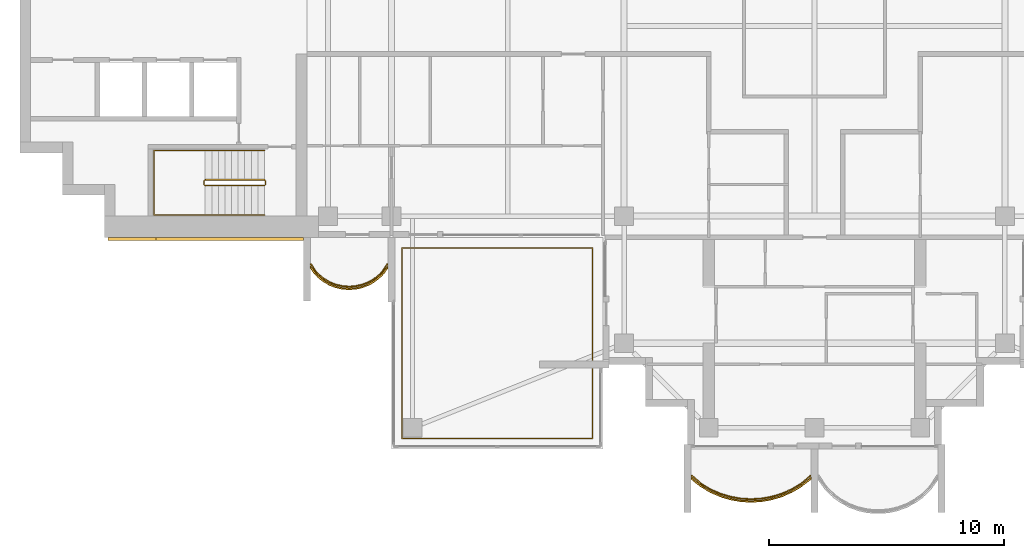
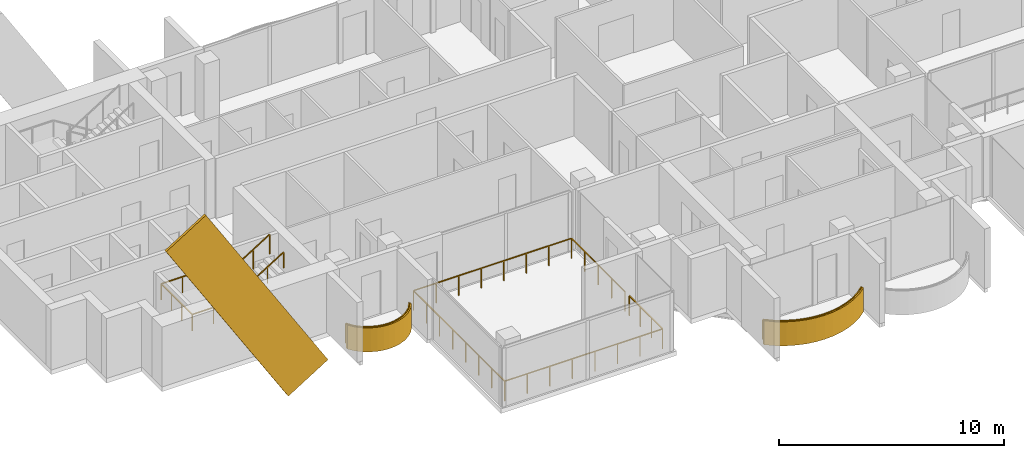
# One storey, part 13 of 16: 5 railings, 3 coverings.
"""IFC4 building model written with IfcOpenShell, lengths in metres."""

from ifc_helpers import new_model, si_unit, direction, frame, origin, origin_2d, place, context, subcontext, project, spatial, polyline, rectangle, outline, extrude, material, layer, layer_set, material_profile, profile_set, type_object, element, save


model = new_model("IFC4")

# Units and contexts
model_context = context("Model", 3, precision=1e-05, world=origin(), true_north=direction((0.0, 1.0)))
body_context = subcontext(model_context, "Body", "Model", "MODEL_VIEW")
ifc_project = project(units=[si_unit("LENGTHUNIT", "METRE"), si_unit("AREAUNIT", "SQUARE_METRE"), si_unit("VOLUMEUNIT", "CUBIC_METRE"), si_unit("PLANEANGLEUNIT", "RADIAN"), si_unit("MASSUNIT", "GRAM", prefix="KILO")], contexts=[model_context])

# Site, building, storey
site_placement = place(None, origin())
site = spatial("IfcSite", under=ifc_project, at=site_placement, CompositionType="ELEMENT")
building_placement = place(site_placement, origin())
building = spatial("IfcBuilding", under=site, at=building_placement, Name="Perihelion Cross Residences", CompositionType="ELEMENT")
storey_placement = place(building_placement, frame((0.0, 0.0, 250.0)))
storey = spatial("IfcBuildingStorey", under=building, at=storey_placement, Name="L63", CompositionType="ELEMENT", Elevation=250.0)

# Coverings
ifc_material_1 = material(Name="Bronze anodised aluminium", Category="aluminium")
ifc_layer = layer(ifc_material_1, 0.070068359375)
ifc_layer_set = layer_set([ifc_layer], Name="Balcony fascia 1300")
covering_type_1 = type_object("IfcCoveringType", Name="Balcony fascia 1300", PredefinedType="CLADDING", material=ifc_layer_set)
covering_1_placement = place(storey_placement, frame((0.0, 0.0, -0.199951171875)))
element("IfcCovering", 1, at=covering_1_placement, inside=storey, type_object=covering_type_1, Name="Fascia BF1 L63 west side south bay 1", PredefinedType="CLADDING", context=body_context, shape_type="SweptSolid", body=[
    extrude(outline(polyline([(-21.226318359375, -10.616455078125), (-20.94091796875, -10.86328125), (-20.655517578125, -11.031494140625), (-20.370361328125, -11.142578125), (-20.085205078125, -11.206298828125), (-19.800048828125, -11.22705078125), (-19.514892578125, -11.206298828125), (-19.229736328125, -11.142578125), (-18.9443359375, -11.031494140625), (-18.6591796875, -10.86328125), (-18.373779296875, -10.616455078125), (-18.14990234375, -10.31689453125), (-18.14990234375, -10.199951171875), (-18.425048828125, -10.568603515625), (-18.699951171875, -10.806396484375), (-18.97509765625, -10.96875), (-19.25, -11.07568359375), (-19.52490234375, -11.136962890625), (-19.800048828125, -11.156982421875), (-20.074951171875, -11.136962890625), (-20.35009765625, -11.07568359375), (-20.625, -10.96875), (-20.89990234375, -10.806396484375), (-21.175048828125, -10.568603515625), (-21.449951171875, -10.199951171875), (-21.449951171875, -10.31689453125), (-21.226318359375, -10.616455078125)])), origin(), (0.0, 0.0, 1.0), 1.300048828125),
])
covering_2_placement = place(storey_placement, frame((0.0, 0.0, -0.199951171875)))
element("IfcCovering", 2, at=covering_2_placement, inside=storey, type_object=covering_type_1, Name="Fascia BF1 L63 south tip south bay 1", PredefinedType="CLADDING", context=body_context, shape_type="SweptSolid", body=[
    extrude(outline(polyline([(-4.86474609375, -19.59765625), (-4.431884765625, -19.85498046875), (-3.998779296875, -20.04248046875), (-3.56591796875, -20.170654296875), (-3.133056640625, -20.245361328125), (-2.699951171875, -20.27001953125), (-2.26708984375, -20.245361328125), (-1.833984375, -20.170654296875), (-1.401123046875, -20.04248046875), (-0.96826171875, -19.85498046875), (-0.53515625, -19.59765625), (-0.14990234375, -19.28955078125), (-0.14990234375, -19.199951171875), (-0.574951171875, -19.5400390625), (-1.0, -19.792724609375), (-1.425048828125, -19.9765625), (-1.85009765625, -20.1025390625), (-2.27490234375, -20.17578125), (-2.699951171875, -20.199951171875), (-3.125, -20.17578125), (-3.550048828125, -20.1025390625), (-3.97509765625, -19.9765625), (-4.39990234375, -19.792724609375), (-4.824951171875, -19.5400390625), (-5.25, -19.199951171875), (-5.25, -19.28955078125), (-4.86474609375, -19.59765625)])), origin(), (0.0, 0.0, 1.0), 1.300048828125),
])

# Railings
ifc_material_2 = material(Name="Bronze anodised aluminium", Category="aluminium")
railing_type_1 = type_object("IfcRailingType", Name="Balcony guard 1100", PredefinedType="GUARDRAIL", material=ifc_material_2)
railing_1_placement = place(storey_placement, frame((-21.425048828125, -10.139892578125, 0.0)))
element("IfcRailing", 3, at=railing_1_placement, inside=storey, type_object=railing_type_1, Name="Guard GU1 L63 west side south bay 1 balcony", PredefinedType="GUARDRAIL", context=body_context, shape_type="SweptSolid", body=[
    extrude(rectangle(XDim=0.048095703125, YDim=0.048095703125, at=origin_2d()), frame((0.0, 0.0, 1.076171875), z_axis=(0.561260132269, -0.827639452857, 0.0), x_axis=(0.827639452857, 0.561260132269, 0.0)), (0.0, 0.0, 1.0), 0.4453125),
    extrude(rectangle(XDim=0.048095703125, YDim=0.048095703125, at=origin_2d()), frame((0.25, -0.36865234375, 1.076171875), z_axis=(0.756596535164, -0.653882009982, 0.0), x_axis=(0.653882009982, 0.756596535164, 0.0)), (0.0, 0.0, 1.0), 0.36376953125),
    extrude(rectangle(XDim=0.048095703125, YDim=0.048095703125, at=origin_2d()), frame((0.525146484375, -0.6064453125, 1.076171875), z_axis=(0.861048292884, -0.508523192511, 0.0), x_axis=(0.508523192511, 0.861048292884, 0.0)), (0.0, 0.0, 1.0), 0.3193359375),
    extrude(rectangle(XDim=0.048095703125, YDim=0.048095703125, at=origin_2d()), frame((0.800048828125, -0.768798828125, 1.076171875), z_axis=(0.931973602183, -0.362526143656, 0.0), x_axis=(0.362526143656, 0.931973602183, 0.0)), (0.0, 0.0, 1.0), 0.294921875),
    extrude(rectangle(XDim=0.048095703125, YDim=0.048095703125, at=origin_2d()), frame((1.074951171875, -0.875732421875, 1.076171875), z_axis=(0.976085059389, -0.21738895289, 0.0), x_axis=(0.21738895289, 0.976085059389, 0.0)), (0.0, 0.0, 1.0), 0.281982421875),
    extrude(rectangle(XDim=0.048095703125, YDim=0.048095703125, at=origin_2d()), frame((1.35009765625, -0.93701171875, 1.076171875), z_axis=(0.997358821833, -0.072631814734, 0.0), x_axis=(0.072631814734, 0.997358821833, 0.0)), (0.0, 0.0, 1.0), 0.275634765625),
    extrude(rectangle(XDim=0.048095703125, YDim=0.048095703125, at=origin_2d()), frame((1.625, -0.95703125, 1.076171875), z_axis=(0.997363488337, 0.072567707226, 0.0), x_axis=(-0.072567707226, 0.997363488337, 0.0)), (0.0, 0.0, 1.0), 0.27587890625),
    extrude(rectangle(XDim=0.048095703125, YDim=0.048095703125, at=origin_2d()), frame((1.900146484375, -0.93701171875, 1.076171875), z_axis=(0.976044077717, 0.217572880557, 0.0), x_axis=(-0.217572880557, 0.976044077717, 0.0)), (0.0, 0.0, 1.0), 0.28173828125),
    extrude(rectangle(XDim=0.048095703125, YDim=0.048095703125, at=origin_2d()), frame((2.175048828125, -0.875732421875, 1.076171875), z_axis=(0.931973602183, 0.362526143656, 0.0), x_axis=(-0.362526143656, 0.931973602183, 0.0)), (0.0, 0.0, 1.0), 0.294921875),
    extrude(rectangle(XDim=0.048095703125, YDim=0.048095703125, at=origin_2d()), frame((2.449951171875, -0.768798828125, 1.076171875), z_axis=(0.861245845072, 0.508188542123, 0.0), x_axis=(-0.508188542123, 0.861245845072, 0.0)), (0.0, 0.0, 1.0), 0.319580078125),
    extrude(rectangle(XDim=0.048095703125, YDim=0.048095703125, at=origin_2d()), frame((2.72509765625, -0.6064453125, 1.076171875), z_axis=(0.756309278473, 0.654214242658, 0.0), x_axis=(-0.654214242658, 0.756309278473, 0.0)), (0.0, 0.0, 1.0), 0.363525390625),
    extrude(rectangle(XDim=0.048095703125, YDim=0.048095703125, at=origin_2d()), frame((3.0, -0.36865234375, 1.076171875), z_axis=(0.561260132269, 0.827639452857, 0.0), x_axis=(-0.827639452857, 0.561260132269, 0.0)), (0.0, 0.0, 1.0), 0.4453125),
    extrude(rectangle(XDim=0.0419921875, YDim=0.0419921875, at=origin_2d()), origin(), (0.0, 0.0, 1.0), 1.052001953125),
    extrude(rectangle(XDim=0.0419921875, YDim=0.0419921875, at=origin_2d()), frame((0.25, -0.36865234375, 0.0)), (0.0, 0.0, 1.0), 1.052001953125),
    extrude(rectangle(XDim=0.0419921875, YDim=0.0419921875, at=origin_2d()), frame((0.525146484375, -0.6064453125, 0.0)), (0.0, 0.0, 1.0), 1.052001953125),
    extrude(rectangle(XDim=0.0419921875, YDim=0.0419921875, at=origin_2d()), frame((0.800048828125, -0.768798828125, 0.0)), (0.0, 0.0, 1.0), 1.052001953125),
    extrude(rectangle(XDim=0.0419921875, YDim=0.0419921875, at=origin_2d()), frame((1.074951171875, -0.875732421875, 0.0)), (0.0, 0.0, 1.0), 1.052001953125),
    extrude(rectangle(XDim=0.0419921875, YDim=0.0419921875, at=origin_2d()), frame((1.35009765625, -0.93701171875, 0.0)), (0.0, 0.0, 1.0), 1.052001953125),
    extrude(rectangle(XDim=0.0419921875, YDim=0.0419921875, at=origin_2d()), frame((1.625, -0.95703125, 0.0)), (0.0, 0.0, 1.0), 1.052001953125),
    extrude(rectangle(XDim=0.0419921875, YDim=0.0419921875, at=origin_2d()), frame((1.900146484375, -0.93701171875, 0.0)), (0.0, 0.0, 1.0), 1.052001953125),
    extrude(rectangle(XDim=0.0419921875, YDim=0.0419921875, at=origin_2d()), frame((2.175048828125, -0.875732421875, 0.0)), (0.0, 0.0, 1.0), 1.052001953125),
    extrude(rectangle(XDim=0.0419921875, YDim=0.0419921875, at=origin_2d()), frame((2.449951171875, -0.768798828125, 0.0)), (0.0, 0.0, 1.0), 1.052001953125),
    extrude(rectangle(XDim=0.0419921875, YDim=0.0419921875, at=origin_2d()), frame((2.72509765625, -0.6064453125, 0.0)), (0.0, 0.0, 1.0), 1.052001953125),
    extrude(rectangle(XDim=0.0419921875, YDim=0.0419921875, at=origin_2d()), frame((3.0, -0.36865234375, 0.0)), (0.0, 0.0, 1.0), 1.052001953125),
    extrude(rectangle(XDim=0.0419921875, YDim=0.0419921875, at=origin_2d()), frame((3.25, 0.0, 0.0)), (0.0, 0.0, 1.0), 1.052001953125),
])
railing_2_placement = place(storey_placement, frame((-5.22509765625, -19.139892578125, 0.0)))
element("IfcRailing", 4, at=railing_2_placement, inside=storey, type_object=railing_type_1, Name="Guard GU1 L63 south tip south bay 1 balcony", PredefinedType="GUARDRAIL", context=body_context, shape_type="SweptSolid", body=[
    extrude(rectangle(XDim=0.048095703125, YDim=0.048095703125, at=origin_2d()), frame((0.0, 0.0, 1.076171875), z_axis=(0.761973728849, -0.647607934281, 0.0), x_axis=(0.647607934281, 0.761973728849, 0.0)), (0.0, 0.0, 1.0), 0.525146484375),
    extrude(rectangle(XDim=0.048095703125, YDim=0.048095703125, at=origin_2d()), frame((0.400146484375, -0.340087890625, 1.076171875), z_axis=(0.859576918062, -0.511006381501, 0.0), x_axis=(0.511006381501, 0.859576918062, 0.0)), (0.0, 0.0, 1.0), 0.494384765625),
    extrude(rectangle(XDim=0.048095703125, YDim=0.048095703125, at=origin_2d()), frame((0.8251953125, -0.5927734375, 1.076171875), z_axis=(0.91755562531, -0.397607437634, 0.0), x_axis=(0.397607437634, 0.91755562531, 0.0)), (0.0, 0.0, 1.0), 0.462890625),
    extrude(rectangle(XDim=0.048095703125, YDim=0.048095703125, at=origin_2d()), frame((1.25, -0.77685546875, 1.076171875), z_axis=(0.958925815697, -0.283656975924, 0.0), x_axis=(0.283656975924, 0.958925815697, 0.0)), (0.0, 0.0, 1.0), 0.443359375),
    extrude(rectangle(XDim=0.048095703125, YDim=0.048095703125, at=origin_2d()), frame((1.675048828125, -0.902587890625, 1.076171875), z_axis=(0.985381583142, -0.17036177859, 0.0), x_axis=(0.17036177859, 0.985381583142, 0.0)), (0.0, 0.0, 1.0), 0.431396484375),
    extrude(rectangle(XDim=0.048095703125, YDim=0.048095703125, at=origin_2d()), frame((2.10009765625, -0.97607421875, 1.076171875), z_axis=(0.9984195016, -0.056200523353, 0.0), x_axis=(0.056200523353, 0.9984195016, 0.0)), (0.0, 0.0, 1.0), 0.42578125),
    extrude(rectangle(XDim=0.048095703125, YDim=0.048095703125, at=origin_2d()), frame((2.525146484375, -1.0, 1.076171875), z_axis=(0.9984195016, 0.056200523353, 0.0), x_axis=(-0.056200523353, 0.9984195016, 0.0)), (0.0, 0.0, 1.0), 0.42578125),
    extrude(rectangle(XDim=0.048095703125, YDim=0.048095703125, at=origin_2d()), frame((2.9501953125, -0.97607421875, 1.076171875), z_axis=(0.985365142702, 0.170456843651, 0.0), x_axis=(-0.170456843651, 0.985365142702, 0.0)), (0.0, 0.0, 1.0), 0.43115234375),
    extrude(rectangle(XDim=0.048095703125, YDim=0.048095703125, at=origin_2d()), frame((3.375, -0.902587890625, 1.076171875), z_axis=(0.958925815697, 0.283656975924, 0.0), x_axis=(-0.283656975924, 0.958925815697, 0.0)), (0.0, 0.0, 1.0), 0.443359375),
    extrude(rectangle(XDim=0.048095703125, YDim=0.048095703125, at=origin_2d()), frame((3.800048828125, -0.77685546875, 1.076171875), z_axis=(0.917638931453, 0.397415137459, 0.0), x_axis=(-0.397415137459, 0.917638931453, 0.0)), (0.0, 0.0, 1.0), 0.463134765625),
    extrude(rectangle(XDim=0.048095703125, YDim=0.048095703125, at=origin_2d()), frame((4.22509765625, -0.5927734375, 1.076171875), z_axis=(0.859576918062, 0.511006381501, 0.0), x_axis=(-0.511006381501, 0.859576918062, 0.0)), (0.0, 0.0, 1.0), 0.494384765625),
    extrude(rectangle(XDim=0.048095703125, YDim=0.048095703125, at=origin_2d()), frame((4.650146484375, -0.340087890625, 1.076171875), z_axis=(0.761778647315, 0.647837396648, 0.0), x_axis=(-0.647837396648, 0.761778647315, 0.0)), (0.0, 0.0, 1.0), 0.52490234375),
    extrude(rectangle(XDim=0.0419921875, YDim=0.0419921875, at=origin_2d()), origin(), (0.0, 0.0, 1.0), 1.052001953125),
    extrude(rectangle(XDim=0.0419921875, YDim=0.0419921875, at=origin_2d()), frame((0.400146484375, -0.340087890625, 0.0)), (0.0, 0.0, 1.0), 1.052001953125),
    extrude(rectangle(XDim=0.0419921875, YDim=0.0419921875, at=origin_2d()), frame((0.8251953125, -0.5927734375, 0.0)), (0.0, 0.0, 1.0), 1.052001953125),
    extrude(rectangle(XDim=0.0419921875, YDim=0.0419921875, at=origin_2d()), frame((1.25, -0.77685546875, 0.0)), (0.0, 0.0, 1.0), 1.052001953125),
    extrude(rectangle(XDim=0.0419921875, YDim=0.0419921875, at=origin_2d()), frame((1.675048828125, -0.902587890625, 0.0)), (0.0, 0.0, 1.0), 1.052001953125),
    extrude(rectangle(XDim=0.0419921875, YDim=0.0419921875, at=origin_2d()), frame((2.10009765625, -0.97607421875, 0.0)), (0.0, 0.0, 1.0), 1.052001953125),
    extrude(rectangle(XDim=0.0419921875, YDim=0.0419921875, at=origin_2d()), frame((2.525146484375, -1.0, 0.0)), (0.0, 0.0, 1.0), 1.052001953125),
    extrude(rectangle(XDim=0.0419921875, YDim=0.0419921875, at=origin_2d()), frame((2.9501953125, -0.97607421875, 0.0)), (0.0, 0.0, 1.0), 1.052001953125),
    extrude(rectangle(XDim=0.0419921875, YDim=0.0419921875, at=origin_2d()), frame((3.375, -0.902587890625, 0.0)), (0.0, 0.0, 1.0), 1.052001953125),
    extrude(rectangle(XDim=0.0419921875, YDim=0.0419921875, at=origin_2d()), frame((3.800048828125, -0.77685546875, 0.0)), (0.0, 0.0, 1.0), 1.052001953125),
    extrude(rectangle(XDim=0.0419921875, YDim=0.0419921875, at=origin_2d()), frame((4.22509765625, -0.5927734375, 0.0)), (0.0, 0.0, 1.0), 1.052001953125),
    extrude(rectangle(XDim=0.0419921875, YDim=0.0419921875, at=origin_2d()), frame((4.650146484375, -0.340087890625, 0.0)), (0.0, 0.0, 1.0), 1.052001953125),
    extrude(rectangle(XDim=0.0419921875, YDim=0.0419921875, at=origin_2d()), frame((5.050048828125, 0.0, 0.0)), (0.0, 0.0, 1.0), 1.052001953125),
])
railing_3_placement = place(storey_placement, frame((-9.449951171875, -14.590087890625, 0.0)))
element("IfcRailing", 5, at=railing_3_placement, inside=storey, type_object=railing_type_1, Name="Guard GU1 L63 pocket south-west 1", PredefinedType="GUARDRAIL", context=body_context, shape_type="SweptSolid", body=[
    extrude(rectangle(XDim=0.048095703125, YDim=0.048095703125, at=origin_2d()), frame((0.0, 0.0, 1.076171875), z_axis=(0.0, -1.0, 0.0), x_axis=(1.0, 0.0, 0.0)), (0.0, 0.0, 1.0), 2.9599609375),
    extrude(rectangle(XDim=0.048095703125, YDim=0.048095703125, at=origin_2d()), frame((0.0, -2.9599609375, 1.076171875), z_axis=(-1.0, 0.0, 0.0), x_axis=(0.0, -1.0, 0.0)), (0.0, 0.0, 1.0), 8.10009765625),
    extrude(rectangle(XDim=0.048095703125, YDim=0.048095703125, at=origin_2d()), frame((-8.10009765625, -2.9599609375, 1.076171875), z_axis=(0.0, 1.0, 0.0), x_axis=(-1.0, 0.0, 0.0)), (0.0, 0.0, 1.0), 8.10009765625),
    extrude(rectangle(XDim=0.048095703125, YDim=0.048095703125, at=origin_2d()), frame((-8.10009765625, 5.14013671875, 1.076171875), z_axis=(1.0, 0.0, 0.0), x_axis=(0.0, 1.0, 0.0)), (0.0, 0.0, 1.0), 8.10009765625),
    extrude(rectangle(XDim=0.048095703125, YDim=0.048095703125, at=origin_2d()), frame((0.0, 5.14013671875, 1.076171875), z_axis=(0.0, -1.0, 0.0), x_axis=(1.0, 0.0, 0.0)), (0.0, 0.0, 1.0), 4.760009765625),
    extrude(rectangle(XDim=0.0419921875, YDim=0.0419921875, at=origin_2d()), origin(), (0.0, 0.0, 1.0), 1.052001953125),
    extrude(rectangle(XDim=0.0419921875, YDim=0.0419921875, at=origin_2d()), frame((0.0, -0.986572265625, 0.0)), (0.0, 0.0, 1.0), 1.052001953125),
    extrude(rectangle(XDim=0.0419921875, YDim=0.0419921875, at=origin_2d()), frame((0.0, -1.973388671875, 0.0)), (0.0, 0.0, 1.0), 1.052001953125),
    extrude(rectangle(XDim=0.0419921875, YDim=0.0419921875, at=origin_2d()), frame((0.0, -2.9599609375, 0.0)), (0.0, 0.0, 1.0), 1.052001953125),
    extrude(rectangle(XDim=0.0419921875, YDim=0.0419921875, at=origin_2d()), frame((-1.1572265625, -2.9599609375, 0.0)), (0.0, 0.0, 1.0), 1.052001953125),
    extrude(rectangle(XDim=0.0419921875, YDim=0.0419921875, at=origin_2d()), frame((-2.314208984375, -2.9599609375, 0.0)), (0.0, 0.0, 1.0), 1.052001953125),
    extrude(rectangle(XDim=0.0419921875, YDim=0.0419921875, at=origin_2d()), frame((-3.471435546875, -2.9599609375, 0.0)), (0.0, 0.0, 1.0), 1.052001953125),
    extrude(rectangle(XDim=0.0419921875, YDim=0.0419921875, at=origin_2d()), frame((-4.628662109375, -2.9599609375, 0.0)), (0.0, 0.0, 1.0), 1.052001953125),
    extrude(rectangle(XDim=0.0419921875, YDim=0.0419921875, at=origin_2d()), frame((-5.785888671875, -2.9599609375, 0.0)), (0.0, 0.0, 1.0), 1.052001953125),
    extrude(rectangle(XDim=0.0419921875, YDim=0.0419921875, at=origin_2d()), frame((-6.94287109375, -2.9599609375, 0.0)), (0.0, 0.0, 1.0), 1.052001953125),
    extrude(rectangle(XDim=0.0419921875, YDim=0.0419921875, at=origin_2d()), frame((-8.10009765625, -2.9599609375, 0.0)), (0.0, 0.0, 1.0), 1.052001953125),
    extrude(rectangle(XDim=0.0419921875, YDim=0.0419921875, at=origin_2d()), frame((-8.10009765625, -1.802734375, 0.0)), (0.0, 0.0, 1.0), 1.052001953125),
    extrude(rectangle(XDim=0.0419921875, YDim=0.0419921875, at=origin_2d()), frame((-8.10009765625, -0.645751953125, 0.0)), (0.0, 0.0, 1.0), 1.052001953125),
    extrude(rectangle(XDim=0.0419921875, YDim=0.0419921875, at=origin_2d()), frame((-8.10009765625, 0.511474609375, 0.0)), (0.0, 0.0, 1.0), 1.052001953125),
    extrude(rectangle(XDim=0.0419921875, YDim=0.0419921875, at=origin_2d()), frame((-8.10009765625, 1.668701171875, 0.0)), (0.0, 0.0, 1.0), 1.052001953125),
    extrude(rectangle(XDim=0.0419921875, YDim=0.0419921875, at=origin_2d()), frame((-8.10009765625, 2.825927734375, 0.0)), (0.0, 0.0, 1.0), 1.052001953125),
    extrude(rectangle(XDim=0.0419921875, YDim=0.0419921875, at=origin_2d()), frame((-8.10009765625, 3.98291015625, 0.0)), (0.0, 0.0, 1.0), 1.052001953125),
    extrude(rectangle(XDim=0.0419921875, YDim=0.0419921875, at=origin_2d()), frame((-8.10009765625, 5.14013671875, 0.0)), (0.0, 0.0, 1.0), 1.052001953125),
    extrude(rectangle(XDim=0.0419921875, YDim=0.0419921875, at=origin_2d()), frame((-6.94287109375, 5.14013671875, 0.0)), (0.0, 0.0, 1.0), 1.052001953125),
    extrude(rectangle(XDim=0.0419921875, YDim=0.0419921875, at=origin_2d()), frame((-5.785888671875, 5.14013671875, 0.0)), (0.0, 0.0, 1.0), 1.052001953125),
    extrude(rectangle(XDim=0.0419921875, YDim=0.0419921875, at=origin_2d()), frame((-4.628662109375, 5.14013671875, 0.0)), (0.0, 0.0, 1.0), 1.052001953125),
    extrude(rectangle(XDim=0.0419921875, YDim=0.0419921875, at=origin_2d()), frame((-3.471435546875, 5.14013671875, 0.0)), (0.0, 0.0, 1.0), 1.052001953125),
    extrude(rectangle(XDim=0.0419921875, YDim=0.0419921875, at=origin_2d()), frame((-2.314208984375, 5.14013671875, 0.0)), (0.0, 0.0, 1.0), 1.052001953125),
    extrude(rectangle(XDim=0.0419921875, YDim=0.0419921875, at=origin_2d()), frame((-1.1572265625, 5.14013671875, 0.0)), (0.0, 0.0, 1.0), 1.052001953125),
    extrude(rectangle(XDim=0.0419921875, YDim=0.0419921875, at=origin_2d()), frame((0.0, 5.14013671875, 0.0)), (0.0, 0.0, 1.0), 1.052001953125),
    extrude(rectangle(XDim=0.0419921875, YDim=0.0419921875, at=origin_2d()), frame((0.0, 3.9501953125, 0.0)), (0.0, 0.0, 1.0), 1.052001953125),
    extrude(rectangle(XDim=0.0419921875, YDim=0.0419921875, at=origin_2d()), frame((0.0, 2.76025390625, 0.0)), (0.0, 0.0, 1.0), 1.052001953125),
    extrude(rectangle(XDim=0.0419921875, YDim=0.0419921875, at=origin_2d()), frame((0.0, 1.570068359375, 0.0)), (0.0, 0.0, 1.0), 1.052001953125),
    extrude(rectangle(XDim=0.0419921875, YDim=0.0419921875, at=origin_2d()), frame((0.0, 0.380126953125, 0.0)), (0.0, 0.0, 1.0), 1.052001953125),
])

# Covering
ifc_material_3 = material(Name="Bronze anodised aluminium", Category="aluminium")
ifc_material_profile = material_profile(ifc_material_3, rectangle(XDim=0.125, YDim=2.39990234375, at=origin_2d()), Name="Bronze cladding band 2400")
ifc_profile_set = profile_set([ifc_material_profile], Name="Bronze anodised aluminium")
covering_type_2 = type_object("IfcCoveringType", Name="Bronze cladding band 2400", PredefinedType="CLADDING", material=ifc_profile_set)
covering_3_placement = place(storey_placement, frame((-22.767578125, -9.0625, -2.029052734375), z_axis=(-0.529915403603, 0.0, 0.848050508534), x_axis=(0.0, -1.0, 0.0)))
element("IfcCovering", 6, at=covering_3_placement, inside=storey, type_object=covering_type_2, Name="Core cladding band, west core", PredefinedType="CLADDING", context=body_context, shape_type="SweptSolid", body=[
    extrude(rectangle(XDim=0.125, YDim=2.39990234375, at=origin_2d()), origin(), (0.0, 0.0, 1.0), 11.822021484375),
])

# Railings
ifc_material_4 = material(Name="Stainless steel", Category="steel")
railing_type_2 = type_object("IfcRailingType", Name="Stair guard 1100", PredefinedType="GUARDRAIL", material=ifc_material_4)
railing_4_placement = place(storey_placement, frame((-23.35009765625, -6.75, 0.0)))
element("IfcRailing", 7, at=railing_4_placement, inside=storey, type_object=railing_type_2, Name="L63 ST-W2 stair guard 1", PredefinedType="GUARDRAIL", context=body_context, shape_type="SweptSolid", body=[
    extrude(rectangle(XDim=0.048095703125, YDim=0.048095703125, at=origin_2d()), frame((0.0, 0.0, 1.076171875), z_axis=(0.0, 1.0, 0.0), x_axis=(-1.0, 0.0, 0.0)), (0.0, 0.0, 1.0), 0.14990234375),
    extrude(rectangle(XDim=0.048095703125, YDim=0.048095703125, at=origin_2d()), frame((0.0, 0.14990234375, 1.076171875), z_axis=(-0.263862480399, 0.265155923931, 0.927399011991), x_axis=(-0.708833529934, -0.705375805398, 0.0)), (0.0, 0.0, 1.0), 0.188720703125),
    extrude(rectangle(XDim=0.048095703125, YDim=0.048095703125, at=origin_2d()), frame((-0.0498046875, 0.199951171875, 1.2509765625), z_axis=(-0.848007534815, 0.0, 0.529984170421), x_axis=(0.0, -1.0, 0.0)), (0.0, 0.0, 1.0), 2.9716796875),
    extrude(rectangle(XDim=0.048095703125, YDim=0.048095703125, at=origin_2d()), frame((-2.56982421875, 0.199951171875, 2.826171875), z_axis=(-0.707106781187, -0.707106781187, 0.0), x_axis=(0.707106781187, -0.707106781187, 0.0)), (0.0, 0.0, 1.0), 0.07080078125),
    extrude(rectangle(XDim=0.048095703125, YDim=0.048095703125, at=origin_2d()), frame((-2.619873046875, 0.14990234375, 2.826171875), z_axis=(0.0, -1.0, 0.0), x_axis=(1.0, 0.0, 0.0)), (0.0, 0.0, 1.0), 0.14990234375),
    extrude(rectangle(XDim=0.048095703125, YDim=0.048095703125, at=origin_2d()), frame((-2.619873046875, 0.0, 2.826171875), z_axis=(0.265065253269, -0.265065253269, 0.927081885822), x_axis=(0.707106781187, 0.707106781187, 0.0)), (0.0, 0.0, 1.0), 0.188720703125),
    extrude(rectangle(XDim=0.048095703125, YDim=0.048095703125, at=origin_2d()), frame((-2.56982421875, -0.050048828125, 3.0009765625), z_axis=(0.848007534815, 0.0, 0.529984170421), x_axis=(0.0, 1.0, 0.0)), (0.0, 0.0, 1.0), 2.9716796875),
    extrude(rectangle(XDim=0.0419921875, YDim=0.0419921875, at=origin_2d()), origin(), (0.0, 0.0, 1.0), 1.052001953125),
    extrude(rectangle(XDim=0.0419921875, YDim=0.0419921875, at=origin_2d()), frame((0.0, 0.14990234375, 0.0)), (0.0, 0.0, 1.0), 1.052001953125),
    extrude(rectangle(XDim=0.0419921875, YDim=0.0419921875, at=origin_2d()), frame((-0.0498046875, 0.199951171875, 0.175048828125)), (0.0, 0.0, 1.0), 1.052001953125),
    extrude(rectangle(XDim=0.0419921875, YDim=0.0419921875, at=origin_2d()), frame((-0.889892578125, 0.199951171875, 0.699951171875)), (0.0, 0.0, 1.0), 1.052001953125),
    extrude(rectangle(XDim=0.0419921875, YDim=0.0419921875, at=origin_2d()), frame((-1.729736328125, 0.199951171875, 1.22509765625)), (0.0, 0.0, 1.0), 1.052001953125),
    extrude(rectangle(XDim=0.0419921875, YDim=0.0419921875, at=origin_2d()), frame((-2.56982421875, 0.199951171875, 1.75)), (0.0, 0.0, 1.0), 1.052001953125),
    extrude(rectangle(XDim=0.0419921875, YDim=0.0419921875, at=origin_2d()), frame((-2.619873046875, 0.14990234375, 1.75)), (0.0, 0.0, 1.0), 1.052001953125),
    extrude(rectangle(XDim=0.0419921875, YDim=0.0419921875, at=origin_2d()), frame((-2.619873046875, 0.0, 1.75)), (0.0, 0.0, 1.0), 1.052001953125),
    extrude(rectangle(XDim=0.0419921875, YDim=0.0419921875, at=origin_2d()), frame((-2.56982421875, -0.050048828125, 1.925048828125)), (0.0, 0.0, 1.0), 1.052001953125),
    extrude(rectangle(XDim=0.0419921875, YDim=0.0419921875, at=origin_2d()), frame((-1.729736328125, -0.050048828125, 2.449951171875)), (0.0, 0.0, 1.0), 1.052001953125),
    extrude(rectangle(XDim=0.0419921875, YDim=0.0419921875, at=origin_2d()), frame((-0.889892578125, -0.050048828125, 2.97509765625)), (0.0, 0.0, 1.0), 1.052001953125),
    extrude(rectangle(XDim=0.0419921875, YDim=0.0419921875, at=origin_2d()), frame((-0.0498046875, -0.050048828125, 3.5)), (0.0, 0.0, 1.0), 1.052001953125),
])
ifc_material_5 = material(Name="Stainless steel", Category="steel")
railing_type_3 = type_object("IfcRailingType", Name="Stair handrail 900", PredefinedType="HANDRAIL", material=ifc_material_5)
railing_5_placement = place(storey_placement, frame((-23.39990234375, -5.300048828125, 0.175048828125)))
element("IfcRailing", 8, at=railing_5_placement, inside=storey, type_object=railing_type_3, Name="L63 ST-W2 stair handrail 1", PredefinedType="HANDRAIL", context=body_context, shape_type="SweptSolid", body=[
    extrude(rectangle(XDim=0.048095703125, YDim=0.048095703125, at=origin_2d()), frame((0.0, 0.0, 0.8759765625), z_axis=(-0.848007534815, 0.0, 0.529984170421), x_axis=(0.0, -1.0, 0.0)), (0.0, 0.0, 1.0), 2.9716796875),
    extrude(rectangle(XDim=0.048095703125, YDim=0.048095703125, at=origin_2d()), frame((-2.52001953125, 0.0, 2.45068359375), z_axis=(-1.0, 0.0, 0.0), x_axis=(0.0, -1.0, 0.0)), (0.0, 0.0, 1.0), 2.18017578125),
    extrude(rectangle(XDim=0.048095703125, YDim=0.048095703125, at=origin_2d()), frame((-4.7001953125, 0.0, 2.45068359375), z_axis=(0.0, -1.0, 0.0), x_axis=(1.0, 0.0, 0.0)), (0.0, 0.0, 1.0), 2.75),
    extrude(rectangle(XDim=0.048095703125, YDim=0.048095703125, at=origin_2d()), frame((-4.7001953125, -2.75, 2.45068359375), z_axis=(1.0, 0.0, 0.0), x_axis=(0.0, 1.0, 0.0)), (0.0, 0.0, 1.0), 2.18017578125),
    extrude(rectangle(XDim=0.048095703125, YDim=0.048095703125, at=origin_2d()), frame((-2.52001953125, -2.75, 2.45068359375), z_axis=(0.0, 0.0, 1.0), x_axis=(1.0, 0.0, 0.0)), (0.0, 0.0, 1.0), 0.175048828125),
    extrude(rectangle(XDim=0.048095703125, YDim=0.048095703125, at=origin_2d()), frame((-2.52001953125, -2.75, 2.6259765625), z_axis=(0.848007534815, 0.0, 0.529984170421), x_axis=(0.0, 1.0, 0.0)), (0.0, 0.0, 1.0), 2.9716796875),
    extrude(rectangle(XDim=0.0419921875, YDim=0.0419921875, at=origin_2d()), origin(), (0.0, 0.0, 1.0), 0.851806640625),
    extrude(rectangle(XDim=0.0419921875, YDim=0.0419921875, at=origin_2d()), frame((-0.840087890625, 0.0, 0.52490234375)), (0.0, 0.0, 1.0), 0.851806640625),
    extrude(rectangle(XDim=0.0419921875, YDim=0.0419921875, at=origin_2d()), frame((-1.679931640625, 0.0, 1.050048828125)), (0.0, 0.0, 1.0), 0.851806640625),
    extrude(rectangle(XDim=0.0419921875, YDim=0.0419921875, at=origin_2d()), frame((-2.52001953125, 0.0, 1.574951171875)), (0.0, 0.0, 1.0), 0.851806640625),
    extrude(rectangle(XDim=0.0419921875, YDim=0.0419921875, at=origin_2d()), frame((-3.610107421875, 0.0, 1.574951171875)), (0.0, 0.0, 1.0), 0.851806640625),
    extrude(rectangle(XDim=0.0419921875, YDim=0.0419921875, at=origin_2d()), frame((-4.7001953125, 0.0, 1.574951171875)), (0.0, 0.0, 1.0), 0.851806640625),
    extrude(rectangle(XDim=0.0419921875, YDim=0.0419921875, at=origin_2d()), frame((-4.7001953125, -0.916748046875, 1.574951171875)), (0.0, 0.0, 1.0), 0.851806640625),
    extrude(rectangle(XDim=0.0419921875, YDim=0.0419921875, at=origin_2d()), frame((-4.7001953125, -1.833251953125, 1.574951171875)), (0.0, 0.0, 1.0), 0.851806640625),
    extrude(rectangle(XDim=0.0419921875, YDim=0.0419921875, at=origin_2d()), frame((-4.7001953125, -2.75, 1.574951171875)), (0.0, 0.0, 1.0), 0.851806640625),
    extrude(rectangle(XDim=0.0419921875, YDim=0.0419921875, at=origin_2d()), frame((-3.610107421875, -2.75, 1.574951171875)), (0.0, 0.0, 1.0), 0.851806640625),
    extrude(rectangle(XDim=0.0419921875, YDim=0.0419921875, at=origin_2d()), frame((-2.52001953125, -2.75, 1.574951171875)), (0.0, 0.0, 1.0), 0.851806640625),
    extrude(rectangle(XDim=0.0419921875, YDim=0.0419921875, at=origin_2d()), frame((-2.52001953125, -2.75, 1.75)), (0.0, 0.0, 1.0), 0.851806640625),
    extrude(rectangle(XDim=0.0419921875, YDim=0.0419921875, at=origin_2d()), frame((-1.679931640625, -2.75, 2.27490234375)), (0.0, 0.0, 1.0), 0.851806640625),
    extrude(rectangle(XDim=0.0419921875, YDim=0.0419921875, at=origin_2d()), frame((-0.840087890625, -2.75, 2.800048828125)), (0.0, 0.0, 1.0), 0.851806640625),
    extrude(rectangle(XDim=0.0419921875, YDim=0.0419921875, at=origin_2d()), frame((0.0, -2.75, 3.324951171875)), (0.0, 0.0, 1.0), 0.851806640625),
])

save(model, "model.ifc")
